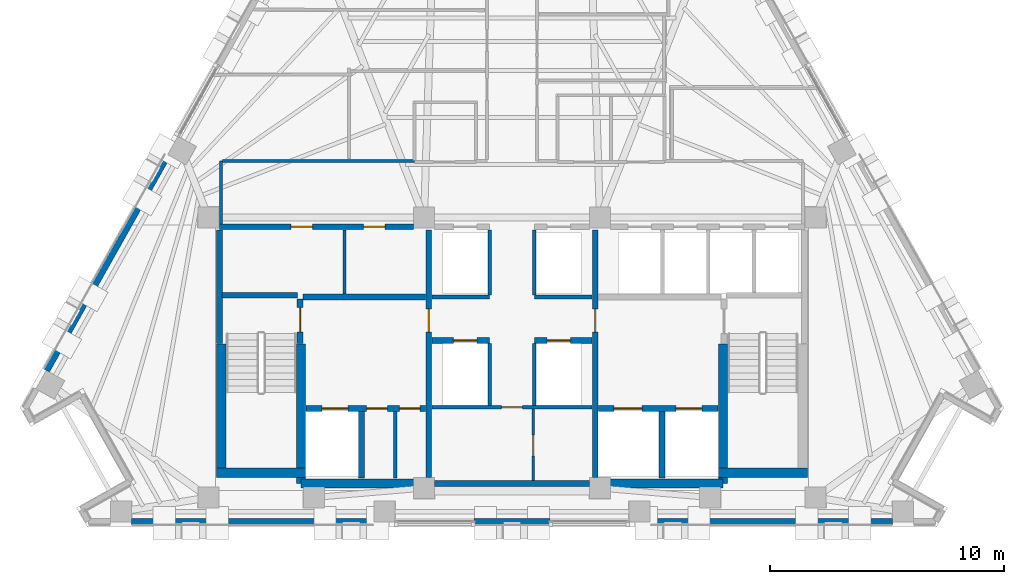
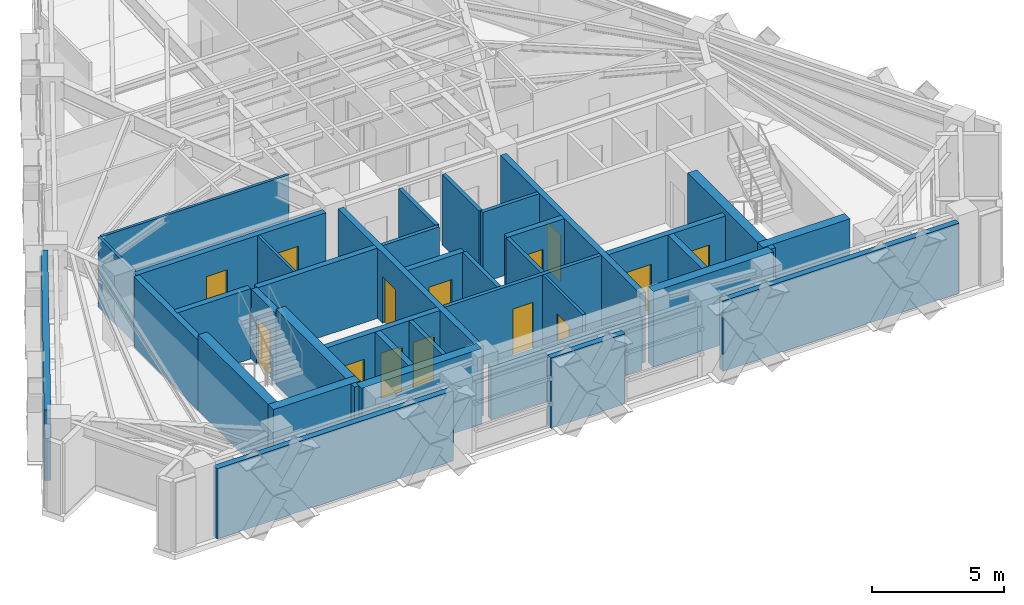
# One storey, part 8 of 15: 37 walls, 14 doors, 14 openings.
"""IFC4 building model written with IfcOpenShell, lengths in metres."""

from ifc_helpers import new_model, si_unit, direction, frame, frame_2d, origin, place, context, subcontext, project, spatial, rectangle, extrude, material, layer, layer_set, type_object, element, fill, save


model = new_model("IFC4")

# Units and contexts
model_context = context("Model", 3, precision=1e-05, world=origin(), true_north=direction((0.0, 1.0)))
body_context = subcontext(model_context, "Body", "Model", "MODEL_VIEW")
ifc_project = project(units=[si_unit("LENGTHUNIT", "METRE"), si_unit("AREAUNIT", "SQUARE_METRE"), si_unit("VOLUMEUNIT", "CUBIC_METRE"), si_unit("PLANEANGLEUNIT", "RADIAN"), si_unit("MASSUNIT", "GRAM", prefix="KILO")], contexts=[model_context])

# Site, building, storey
site_placement = place(None, origin())
site = spatial("IfcSite", under=ifc_project, at=site_placement, CompositionType="ELEMENT")
building_placement = place(site_placement, origin())
building = spatial("IfcBuilding", under=site, at=building_placement, Name="Quenlor Broadcast Tower", CompositionType="ELEMENT")
storey_placement = place(building_placement, frame((0.0, 0.0, 183.39990234375)))
storey = spatial("IfcBuildingStorey", under=building, at=storey_placement, Name="L50", CompositionType="ELEMENT", Elevation=183.39990234375)

# Walls
ifc_material_1 = material(Name="Concrete C50/60", Category="concrete")
ifc_layer_1 = layer(ifc_material_1, 0.39990234375)
ifc_layer_set_1 = layer_set([ifc_layer_1], Name="Core Concrete C50/60 Shear Wall 400")
wall_type_1 = type_object("IfcWallType", Name="Core Concrete C50/60 Shear Wall 400", PredefinedType="SHEAR", material=ifc_layer_set_1)
wall_1_placement = place(storey_placement, frame((-12.60009765625, -15.699951171875, 0.0), z_axis=(0.0, 0.0, 1.0), x_axis=(1.0, 0.0, 0.0)))
element("IfcWall", 1, at=wall_1_placement, inside=storey, type_object=wall_type_1, Name="L50 Core Shear Wall WS-W1", PredefinedType="SHEAR", context=body_context, shape_type="SweptSolid", body=[
    extrude(rectangle(XDim=3.800048828125, YDim=0.39990234375, at=frame_2d((1.89990234375, 0.0))), origin(), (0.0, 0.0, 1.0), 3.5),
])
for number, where, z_axis, x_axis, name in (
    (2, (-9.0, -16.14990234375, 0.0), (0.0, 0.0, 1.0), (1.0, 0.0, 0.0), "L50 Core Shear Wall WS-W2"),
    (3, (3.75, -16.14990234375, 0.0), (0.0, 0.0, 1.0), (1.0, 0.0, 0.0), "L50 Core Shear Wall WS-E1"),
):
    element("IfcWall", number, at=place(storey_placement, frame(where, z_axis=z_axis, x_axis=x_axis)), inside=storey, type_object=wall_type_1, Name=name, PredefinedType="SHEAR", context=body_context, shape_type="SweptSolid", body=[
        extrude(rectangle(XDim=5.25, YDim=0.39990234375, at=frame_2d((2.625, 0.0))), origin(), (0.0, 0.0, 1.0), 3.5),
    ])
wall_2_placement = place(storey_placement, frame((8.800048828125, -15.699951171875, 0.0), z_axis=(0.0, 0.0, 1.0), x_axis=(1.0, 0.0, 0.0)))
element("IfcWall", 4, at=wall_2_placement, inside=storey, type_object=wall_type_1, Name="L50 Core Shear Wall WS-E2", PredefinedType="SHEAR", context=body_context, shape_type="SweptSolid", body=[
    extrude(rectangle(XDim=3.800048828125, YDim=0.39990234375, at=frame_2d((1.89990234375, 0.0))), origin(), (0.0, 0.0, 1.0), 3.5),
])
wall_3_placement = place(storey_placement, frame((-12.39990234375, -15.699951171875, 0.0), z_axis=(0.0, 0.0, 1.0), x_axis=(0.0, 1.0, 0.0)))
element("IfcWall", 5, at=wall_3_placement, inside=storey, type_object=wall_type_1, Name="L50 Core Shear Wall WF-W", PredefinedType="SHEAR", context=body_context, shape_type="SweptSolid", body=[
    extrude(rectangle(XDim=5.5, YDim=0.39990234375, at=frame_2d((2.75, 0.0))), origin(), (0.0, 0.0, 1.0), 3.5),
])
for number, where, z_axis, x_axis, name in (
    (6, (-9.0, -16.14990234375, 0.0), (0.0, 0.0, 1.0), (0.0, 1.0, 0.0), "L50 Core Shear Wall WI-W"),
    (7, (9.0, -16.14990234375, 0.0), (0.0, 0.0, 1.0), (0.0, 1.0, 0.0), "L50 Core Shear Wall WI-E"),
):
    element("IfcWall", number, at=place(storey_placement, frame(where, z_axis=z_axis, x_axis=x_axis)), inside=storey, type_object=wall_type_1, Name=name, PredefinedType="SHEAR", context=body_context, shape_type="SweptSolid", body=[
        extrude(rectangle(XDim=5.949951171875, YDim=0.39990234375, at=frame_2d((2.97509765625, 0.0))), origin(), (0.0, 0.0, 1.0), 3.5),
    ])

# Wall, opening, door
ifc_material_2 = material(Name="Concrete C40/50", Category="concrete")
ifc_layer_2 = layer(ifc_material_2, 0.25)
ifc_layer_set_2 = layer_set([ifc_layer_2], Name="Fire Rated Concrete C40/50 Core Wall 250")
wall_type_2 = type_object("IfcWallType", Name="Fire Rated Concrete C40/50 Core Wall 250", PredefinedType="PARTITIONING", material=ifc_layer_set_2)
wall_4_placement = place(storey_placement, frame((-9.0400390625, -10.179931640625, 0.0), z_axis=(0.0, 0.0, 1.0), x_axis=(0.0, 1.0, 0.0)))
wall_4 = element("IfcWall", 8, at=wall_4_placement, inside=storey, type_object=wall_type_2, Name="L50 Interior Wall CW-ST1-DR", PredefinedType="PARTITIONING", context=body_context, shape_type="SweptSolid", body=[
    extrude(rectangle(XDim=1.89990234375, YDim=0.25, at=frame_2d((0.949951171875, 0.0))), origin(), (0.0, 0.0, 1.0), 3.25),
])
opening_1_placement = place(wall_4_placement, frame((0.47998046875, 0.0, 0.0)))
opening_1 = element("IfcOpeningElement", 9, at=opening_1_placement, cuts=wall_4, Name="Opening FD-1", PredefinedType="OPENING", context=body_context, shape_type="SweptSolid", body=[
    extrude(rectangle(XDim=1.050048828125, YDim=2.14990234375, at=frame_2d((0.52490234375, 1.074951171875))), frame((0.0, 0.135009765625, 0.0), z_axis=(0.0, -1.0, 0.0), x_axis=(1.0, 0.0, 0.0)), (0.0, 0.0, 1.0), 0.27001953125),
])
ifc_material_3 = material(Name="Fire Rated Steel Door Leaf", Category="steel")
door_type_1 = type_object("IfcDoorType", Name="Fire Isolated Stair Door 1050x2150", OperationType="NOTDEFINED", PredefinedType="DOOR", material=ifc_material_3)
door_1_placement = place(opening_1_placement, origin())
door_1 = element("IfcDoor", 10, at=door_1_placement, inside=storey, type_object=door_type_1, Name="L50 Door DR-ST1", OperationType="SINGLE_SWING_LEFT", OverallHeight=2.14990234375, OverallWidth=1.050048828125, PredefinedType="DOOR", context=body_context, shape_type="SweptSolid", body=[
    extrude(rectangle(XDim=1.050048828125, YDim=2.14990234375, at=frame_2d((0.52490234375, 1.074951171875))), frame((0.0, 0.02490234375, 0.0), z_axis=(0.0, -1.0, 0.0), x_axis=(1.0, 0.0, 0.0)), (0.0, 0.0, 1.0), 0.050048828125),
])
fill(opening_1, door_1)

# Walls
wall_5_placement = place(storey_placement, frame((-12.3798828125, -8.1201171875, 0.0), z_axis=(0.0, 0.0, 1.0), x_axis=(1.0, 0.0, 0.0)))
element("IfcWall", 11, at=wall_5_placement, inside=storey, type_object=wall_type_2, Name="L50 Interior Wall CW-ST1-N", PredefinedType="PARTITIONING", context=body_context, shape_type="SweptSolid", body=[
    extrude(rectangle(XDim=3.219970703125, YDim=0.25, at=frame_2d((1.60986328125, 0.0))), origin(), (0.0, 0.0, 1.0), 3.25),
])
wall_6_placement = place(storey_placement, frame((-12.47998046875, -10.179931640625, 0.0), z_axis=(0.0, 0.0, 1.0), x_axis=(0.0, 1.0, 0.0)))
element("IfcWall", 12, at=wall_6_placement, inside=storey, type_object=wall_type_2, Name="L50 Interior Wall CW-ST1-W2", PredefinedType="PARTITIONING", context=body_context, shape_type="SweptSolid", body=[
    extrude(rectangle(XDim=4.83984375, YDim=0.25, at=frame_2d((2.419921875, 0.0))), origin(), (0.0, 0.0, 1.0), 3.25),
])

# Wall, openings, doors
wall_7_placement = place(storey_placement, frame((-8.798095703125, -12.949951171875, 0.0), z_axis=(0.0, 0.0, 1.0), x_axis=(1.0, 0.0, 0.0)))
wall_7 = element("IfcWall", 13, at=wall_7_placement, inside=storey, type_object=wall_type_2, Name="L50 Interior Wall CW-FFW-S", PredefinedType="PARTITIONING", context=body_context, shape_type="SweptSolid", body=[
    extrude(rectangle(XDim=5.1181640625, YDim=0.25, at=frame_2d((2.55908203125, 0.0))), origin(), (0.0, 0.0, 1.0), 3.25),
])
opening_2_placement = place(wall_7_placement, frame((0.697998046875, 0.0, 0.0)))
opening_2 = element("IfcOpeningElement", 14, at=opening_2_placement, cuts=wall_7, Name="Opening LD-FFL-1", PredefinedType="OPENING", context=body_context, shape_type="SweptSolid", body=[
    extrude(rectangle(XDim=1.10009765625, YDim=2.14990234375, at=frame_2d((0.550048828125, 1.074951171875))), frame((0.0, 0.135009765625, 0.0), z_axis=(0.0, -1.0, 0.0), x_axis=(1.0, 0.0, 0.0)), (0.0, 0.0, 1.0), 0.27001953125),
])
opening_3_placement = place(wall_7_placement, frame((2.597900390625, 0.0, 0.0)))
opening_3 = element("IfcOpeningElement", 15, at=opening_3_placement, cuts=wall_7, Name="Opening TD-1", PredefinedType="OPENING", context=body_context, shape_type="SweptSolid", body=[
    extrude(rectangle(XDim=0.8798828125, YDim=2.10009765625, at=frame_2d((0.43994140625, 1.050048828125))), frame((0.0, 0.135009765625, 0.0), z_axis=(0.0, -1.0, 0.0), x_axis=(1.0, 0.0, 0.0)), (0.0, 0.0, 1.0), 0.27001953125),
])
opening_4_placement = place(wall_7_placement, frame((3.998046875, 0.0, 0.0)))
opening_4 = element("IfcOpeningElement", 16, at=opening_4_placement, cuts=wall_7, Name="Opening TD-1", PredefinedType="OPENING", context=body_context, shape_type="SweptSolid", body=[
    extrude(rectangle(XDim=0.8798828125, YDim=2.10009765625, at=frame_2d((0.43994140625, 1.050048828125))), frame((0.0, 0.135009765625, 0.0), z_axis=(0.0, -1.0, 0.0), x_axis=(1.0, 0.0, 0.0)), (0.0, 0.0, 1.0), 0.27001953125),
])
ifc_material_4 = material(Name="Brushed Stainless Steel", Category="steel")
door_type_2 = type_object("IfcDoorType", Name="Emergency Lift Sliding Landing Door 1100x2150", OperationType="NOTDEFINED", PredefinedType="DOOR", material=ifc_material_4)
door_2_placement = place(opening_2_placement, origin())
door_2 = element("IfcDoor", 17, at=door_2_placement, inside=storey, type_object=door_type_2, Name="L50 Door LD-FFL-1", OperationType="SLIDING_TO_LEFT", OverallHeight=2.14990234375, OverallWidth=1.10009765625, PredefinedType="DOOR", context=body_context, shape_type="SweptSolid", body=[
    extrude(rectangle(XDim=1.10009765625, YDim=2.14990234375, at=frame_2d((0.550048828125, 1.074951171875))), frame((0.0, 0.02490234375, 0.0), z_axis=(0.0, -1.0, 0.0), x_axis=(1.0, 0.0, 0.0)), (0.0, 0.0, 1.0), 0.050048828125),
])
fill(opening_2, door_2)
ifc_material_5 = material(Name="Fire Rated Steel Access Panel", Category="steel")
door_type_3 = type_object("IfcDoorType", Name="Riser Shaft Rated Access Trapdoor 880x2100", OperationType="NOTDEFINED", PredefinedType="TRAPDOOR", material=ifc_material_5)
door_3_placement = place(opening_3_placement, origin())
door_3 = element("IfcDoor", 18, at=door_3_placement, inside=storey, type_object=door_type_3, Name="L50 Door DR-ELR", OperationType="SINGLE_SWING_LEFT", OverallHeight=2.10009765625, OverallWidth=0.8798828125, PredefinedType="TRAPDOOR", context=body_context, shape_type="SweptSolid", body=[
    extrude(rectangle(XDim=0.8798828125, YDim=2.10009765625, at=frame_2d((0.43994140625, 1.050048828125))), frame((0.0, 0.02490234375, 0.0), z_axis=(0.0, -1.0, 0.0), x_axis=(1.0, 0.0, 0.0)), (0.0, 0.0, 1.0), 0.050048828125),
])
fill(opening_3, door_3)
door_4_placement = place(opening_4_placement, origin())
door_4 = element("IfcDoor", 19, at=door_4_placement, inside=storey, type_object=door_type_3, Name="L50 Door DR-CMR", OperationType="SINGLE_SWING_RIGHT", OverallHeight=2.10009765625, OverallWidth=0.8798828125, PredefinedType="TRAPDOOR", context=body_context, shape_type="SweptSolid", body=[
    extrude(rectangle(XDim=0.8798828125, YDim=2.10009765625, at=frame_2d((0.43994140625, 1.050048828125))), frame((0.0, 0.02490234375, 0.0), z_axis=(0.0, -1.0, 0.0), x_axis=(1.0, 0.0, 0.0)), (0.0, 0.0, 1.0), 0.050048828125),
])
fill(opening_4, door_4)

wall_8_placement = place(storey_placement, frame((3.679931640625, -12.949951171875, 0.0), z_axis=(0.0, 0.0, 1.0), x_axis=(1.0, 0.0, 0.0)))
wall_8 = element("IfcWall", 20, at=wall_8_placement, inside=storey, type_object=wall_type_2, Name="L50 Interior Wall CW-FFE-S", PredefinedType="PARTITIONING", context=body_context, shape_type="SweptSolid", body=[
    extrude(rectangle(XDim=5.1181640625, YDim=0.25, at=frame_2d((2.55908203125, 0.0))), origin(), (0.0, 0.0, 1.0), 3.25),
])
opening_5_placement = place(wall_8_placement, frame((3.320068359375, 0.0, 0.0)))
opening_5 = element("IfcOpeningElement", 21, at=opening_5_placement, cuts=wall_8, Name="Opening LD-FFL-2", PredefinedType="OPENING", context=body_context, shape_type="SweptSolid", body=[
    extrude(rectangle(XDim=1.10009765625, YDim=2.14990234375, at=frame_2d((0.550048828125, 1.074951171875))), frame((0.0, 0.135009765625, 0.0), z_axis=(0.0, -1.0, 0.0), x_axis=(1.0, 0.0, 0.0)), (0.0, 0.0, 1.0), 0.27001953125),
])
opening_6_placement = place(wall_8_placement, frame((0.669921875, 0.0, 0.0)))
opening_6 = element("IfcOpeningElement", 22, at=opening_6_placement, cuts=wall_8, Name="Opening LD-SVL-1", PredefinedType="OPENING", context=body_context, shape_type="SweptSolid", body=[
    extrude(rectangle(XDim=1.199951171875, YDim=2.14990234375, at=frame_2d((0.60009765625, 1.074951171875))), frame((0.0, 0.135009765625, 0.0), z_axis=(0.0, -1.0, 0.0), x_axis=(1.0, 0.0, 0.0)), (0.0, 0.0, 1.0), 0.27001953125),
])
door_5_placement = place(opening_5_placement, origin())
door_5 = element("IfcDoor", 23, at=door_5_placement, inside=storey, type_object=door_type_2, Name="L50 Door LD-FFL-2", OperationType="SLIDING_TO_RIGHT", OverallHeight=2.14990234375, OverallWidth=1.10009765625, PredefinedType="DOOR", context=body_context, shape_type="SweptSolid", body=[
    extrude(rectangle(XDim=1.10009765625, YDim=2.14990234375, at=frame_2d((0.550048828125, 1.074951171875))), frame((0.0, 0.02490234375, 0.0), z_axis=(0.0, -1.0, 0.0), x_axis=(1.0, 0.0, 0.0)), (0.0, 0.0, 1.0), 0.050048828125),
])
fill(opening_5, door_5)
ifc_material_6 = material(Name="Brushed Stainless Steel", Category="steel")
door_type_4 = type_object("IfcDoorType", Name="Goods Lift Sliding Landing Door 1200x2150", OperationType="NOTDEFINED", PredefinedType="DOOR", material=ifc_material_6)
door_6_placement = place(opening_6_placement, origin())
door_6 = element("IfcDoor", 24, at=door_6_placement, inside=storey, type_object=door_type_4, Name="L50 Door LD-SVL-1", OperationType="SLIDING_TO_LEFT", OverallHeight=2.14990234375, OverallWidth=1.199951171875, PredefinedType="DOOR", context=body_context, shape_type="SweptSolid", body=[
    extrude(rectangle(XDim=1.199951171875, YDim=2.14990234375, at=frame_2d((0.60009765625, 1.074951171875))), frame((0.0, 0.02490234375, 0.0), z_axis=(0.0, -1.0, 0.0), x_axis=(1.0, 0.0, 0.0)), (0.0, 0.0, 1.0), 0.050048828125),
])
fill(opening_6, door_6)

# Walls
for number, where, z_axis, x_axis, name in (
    (25, (-6.419921875, -15.919921875, 0.0), (0.0, 0.0, 1.0), (0.0, 1.0, 0.0), "L50 Interior Wall CW-FF1-E"),
    (26, (6.39990234375, -15.919921875, 0.0), (0.0, 0.0, 1.0), (0.0, 1.0, 0.0), "L50 Interior Wall CW-SV1-E"),
):
    element("IfcWall", number, at=place(storey_placement, frame(where, z_axis=z_axis, x_axis=x_axis)), inside=storey, type_object=wall_type_2, Name=name, PredefinedType="PARTITIONING", context=body_context, shape_type="SweptSolid", body=[
        extrude(rectangle(XDim=2.829833984375, YDim=0.25, at=frame_2d((1.4150390625, 0.0))), origin(), (0.0, 0.0, 1.0), 3.25),
    ])
wall_9_placement = place(storey_placement, frame((-8.919921875, -8.199951171875, 0.0), z_axis=(0.0, 0.0, 1.0), x_axis=(1.0, 0.0, 0.0)))
element("IfcWall", 27, at=wall_9_placement, inside=storey, type_object=wall_type_2, Name="L50 Interior Wall CW-FFW-N", PredefinedType="PARTITIONING", context=body_context, shape_type="SweptSolid", body=[
    extrude(rectangle(XDim=5.239990234375, YDim=0.25, at=frame_2d((2.6201171875, 0.0))), origin(), (0.0, 0.0, 1.0), 3.25),
])

# Wall, opening, door
wall_10_placement = place(storey_placement, frame((-3.550048828125, -15.89794921875, 0.0), z_axis=(0.0, 0.0, 1.0), x_axis=(0.0, 1.0, 0.0)))
wall_10 = element("IfcWall", 28, at=wall_10_placement, inside=storey, type_object=wall_type_2, Name="L50 Interior Wall CW-FFW-E", PredefinedType="PARTITIONING", context=body_context, shape_type="SweptSolid", body=[
    extrude(rectangle(XDim=10.557861328125, YDim=0.25, at=frame_2d((5.27880859375, 0.0))), origin(), (0.0, 0.0, 1.0), 3.25),
])
opening_7_placement = place(wall_10_placement, frame((6.197998046875, 0.0, 0.0)))
opening_7 = element("IfcOpeningElement", 29, at=opening_7_placement, cuts=wall_10, Name="Opening FD-2", PredefinedType="OPENING", context=body_context, shape_type="SweptSolid", body=[
    extrude(rectangle(XDim=1.0, YDim=2.14990234375, at=frame_2d((0.5, 1.074951171875))), frame((0.0, 0.135009765625, 0.0), z_axis=(0.0, -1.0, 0.0), x_axis=(1.0, 0.0, 0.0)), (0.0, 0.0, 1.0), 0.27001953125),
])
ifc_material_7 = material(Name="Fire Rated Glazed Steel Door", Category="steel")
door_type_5 = type_object("IfcDoorType", Name="Firefighting Lobby Smoke Door 1000x2150", OperationType="NOTDEFINED", PredefinedType="DOOR", material=ifc_material_7)
door_7_placement = place(opening_7_placement, origin())
door_7 = element("IfcDoor", 30, at=door_7_placement, inside=storey, type_object=door_type_5, Name="L50 Door DR-FFLW", OperationType="SINGLE_SWING_RIGHT", OverallHeight=2.14990234375, OverallWidth=1.0, PredefinedType="DOOR", context=body_context, shape_type="SweptSolid", body=[
    extrude(rectangle(XDim=1.0, YDim=2.14990234375, at=frame_2d((0.5, 1.074951171875))), frame((0.0, 0.02490234375, 0.0), z_axis=(0.0, -1.0, 0.0), x_axis=(1.0, 0.0, 0.0)), (0.0, 0.0, 1.0), 0.050048828125),
])
fill(opening_7, door_7)

wall_11_placement = place(storey_placement, frame((3.550048828125, -15.89794921875, 0.0), z_axis=(0.0, 0.0, 1.0), x_axis=(0.0, 1.0, 0.0)))
wall_11 = element("IfcWall", 31, at=wall_11_placement, inside=storey, type_object=wall_type_2, Name="L50 Interior Wall CW-FFE-W", PredefinedType="PARTITIONING", context=body_context, shape_type="SweptSolid", body=[
    extrude(rectangle(XDim=10.557861328125, YDim=0.25, at=frame_2d((5.27880859375, 0.0))), origin(), (0.0, 0.0, 1.0), 3.25),
])
opening_8_placement = place(wall_11_placement, frame((6.197998046875, 0.0, 0.0)))
opening_8 = element("IfcOpeningElement", 32, at=opening_8_placement, cuts=wall_11, Name="Opening FD-2", PredefinedType="OPENING", context=body_context, shape_type="SweptSolid", body=[
    extrude(rectangle(XDim=1.0, YDim=2.14990234375, at=frame_2d((0.5, 1.074951171875))), frame((0.0, 0.135009765625, 0.0), z_axis=(0.0, -1.0, 0.0), x_axis=(1.0, 0.0, 0.0)), (0.0, 0.0, 1.0), 0.27001953125),
])
door_8_placement = place(opening_8_placement, origin())
door_8 = element("IfcDoor", 33, at=door_8_placement, inside=storey, type_object=door_type_5, Name="L50 Door DR-FFLE", OperationType="SINGLE_SWING_LEFT", OverallHeight=2.14990234375, OverallWidth=1.0, PredefinedType="DOOR", context=body_context, shape_type="SweptSolid", body=[
    extrude(rectangle(XDim=1.0, YDim=2.14990234375, at=frame_2d((0.5, 1.074951171875))), frame((0.0, 0.02490234375, 0.0), z_axis=(0.0, -1.0, 0.0), x_axis=(1.0, 0.0, 0.0)), (0.0, 0.0, 1.0), 0.050048828125),
])
fill(opening_8, door_8)

# Wall, openings, doors
wall_12_placement = place(storey_placement, frame((-12.47998046875, -5.199951171875, 0.0), z_axis=(0.0, 0.0, 1.0), x_axis=(1.0, 0.0, 0.0)))
wall_12 = element("IfcWall", 34, at=wall_12_placement, inside=storey, type_object=wall_type_2, Name="L50 Interior Wall CW-N-W", PredefinedType="PARTITIONING", context=body_context, shape_type="SweptSolid", body=[
    extrude(rectangle(XDim=8.278076171875, YDim=0.25, at=frame_2d((4.13916015625, 0.0))), origin(), (0.0, 0.0, 1.0), 3.25),
])
opening_9_placement = place(wall_12_placement, frame((3.050048828125, 0.0, 0.0)))
opening_9 = element("IfcOpeningElement", 35, at=opening_9_placement, cuts=wall_12, Name="Opening ID-1", PredefinedType="OPENING", context=body_context, shape_type="SweptSolid", body=[
    extrude(rectangle(XDim=0.919921875, YDim=2.1201171875, at=frame_2d((0.4599609375, 1.06005859375))), frame((0.0, 0.135009765625, 0.0), z_axis=(0.0, -1.0, 0.0), x_axis=(1.0, 0.0, 0.0)), (0.0, 0.0, 1.0), 0.27001953125),
])
opening_10_placement = place(wall_12_placement, frame((6.14990234375, 0.0, 0.0)))
opening_10 = element("IfcOpeningElement", 36, at=opening_10_placement, cuts=wall_12, Name="Opening ID-1", PredefinedType="OPENING", context=body_context, shape_type="SweptSolid", body=[
    extrude(rectangle(XDim=0.919921875, YDim=2.1201171875, at=frame_2d((0.4599609375, 1.06005859375))), frame((0.0, 0.135009765625, 0.0), z_axis=(0.0, -1.0, 0.0), x_axis=(1.0, 0.0, 0.0)), (0.0, 0.0, 1.0), 0.27001953125),
])
ifc_material_8 = material(Name="Solid Core Timber Oak", Category="wood")
door_type_6 = type_object("IfcDoorType", Name="Single Leaf Timber Office Door 920x2120", OperationType="NOTDEFINED", PredefinedType="DOOR", material=ifc_material_8)
door_9_placement = place(opening_9_placement, origin())
door_9 = element("IfcDoor", 37, at=door_9_placement, inside=storey, type_object=door_type_6, Name="L50 Door DR-RCL1", OperationType="SINGLE_SWING_LEFT", OverallHeight=2.1201171875, OverallWidth=0.919921875, PredefinedType="DOOR", context=body_context, shape_type="SweptSolid", body=[
    extrude(rectangle(XDim=0.919921875, YDim=2.1201171875, at=frame_2d((0.4599609375, 1.06005859375))), frame((0.0, 0.02490234375, 0.0), z_axis=(0.0, -1.0, 0.0), x_axis=(1.0, 0.0, 0.0)), (0.0, 0.0, 1.0), 0.050048828125),
])
fill(opening_9, door_9)
door_10_placement = place(opening_10_placement, origin())
door_10 = element("IfcDoor", 38, at=door_10_placement, inside=storey, type_object=door_type_6, Name="L50 Door DR-RCL2", OperationType="SINGLE_SWING_RIGHT", OverallHeight=2.1201171875, OverallWidth=0.919921875, PredefinedType="DOOR", context=body_context, shape_type="SweptSolid", body=[
    extrude(rectangle(XDim=0.919921875, YDim=2.1201171875, at=frame_2d((0.4599609375, 1.06005859375))), frame((0.0, 0.02490234375, 0.0), z_axis=(0.0, -1.0, 0.0), x_axis=(1.0, 0.0, 0.0)), (0.0, 0.0, 1.0), 0.050048828125),
])
fill(opening_10, door_10)

# Wall
wall_13_placement = place(storey_placement, frame((-3.298095703125, -16.14990234375, 0.0), z_axis=(0.0, 0.0, 1.0), x_axis=(1.0, 0.0, 0.0)))
element("IfcWall", 39, at=wall_13_placement, inside=storey, type_object=wall_type_2, Name="L50 Interior Wall CW-MS-S", PredefinedType="PARTITIONING", context=body_context, shape_type="SweptSolid", body=[
    extrude(rectangle(XDim=6.59619140625, YDim=0.25, at=frame_2d((3.298095703125, 0.0))), origin(), (0.0, 0.0, 1.0), 2.4501953125),
])

# Wall, opening, door
wall_14_placement = place(storey_placement, frame((-3.419921875, -10.050048828125, 0.0), z_axis=(0.0, 0.0, 1.0), x_axis=(1.0, 0.0, 0.0)))
wall_14 = element("IfcWall", 40, at=wall_14_placement, inside=storey, type_object=wall_type_2, Name="L50 Interior Wall CW-MS-N1", PredefinedType="PARTITIONING", context=body_context, shape_type="SweptSolid", body=[
    extrude(rectangle(XDim=2.469970703125, YDim=0.25, at=frame_2d((1.23486328125, 0.0))), origin(), (0.0, 0.0, 1.0), 3.25),
])
opening_11_placement = place(wall_14_placement, frame((0.919921875, 0.0, 0.0)))
opening_11 = element("IfcOpeningElement", 41, at=opening_11_placement, cuts=wall_14, Name="Opening LD-PL-M3", PredefinedType="OPENING", context=body_context, shape_type="SweptSolid", body=[
    extrude(rectangle(XDim=1.0, YDim=2.14990234375, at=frame_2d((0.5, 1.074951171875))), frame((0.0, 0.135009765625, 0.0), z_axis=(0.0, -1.0, 0.0), x_axis=(1.0, 0.0, 0.0)), (0.0, 0.0, 1.0), 0.27001953125),
])
ifc_material_9 = material(Name="Brushed Stainless Steel", Category="steel")
door_type_7 = type_object("IfcDoorType", Name="Passenger Lift Sliding Landing Door 1000x2150", OperationType="NOTDEFINED", PredefinedType="DOOR", material=ifc_material_9)
door_11_placement = place(opening_11_placement, origin())
door_11 = element("IfcDoor", 42, at=door_11_placement, inside=storey, type_object=door_type_7, Name="L50 Door LD-PL-M3", OperationType="SLIDING_TO_LEFT", OverallHeight=2.14990234375, OverallWidth=1.0, PredefinedType="DOOR", context=body_context, shape_type="SweptSolid", body=[
    extrude(rectangle(XDim=1.0, YDim=2.14990234375, at=frame_2d((0.5, 1.074951171875))), frame((0.0, 0.02490234375, 0.0), z_axis=(0.0, -1.0, 0.0), x_axis=(1.0, 0.0, 0.0)), (0.0, 0.0, 1.0), 0.050048828125),
])
fill(opening_11, door_11)

wall_15_placement = place(storey_placement, frame((0.949951171875, -10.050048828125, 0.0), z_axis=(0.0, 0.0, 1.0), x_axis=(1.0, 0.0, 0.0)))
wall_15 = element("IfcWall", 43, at=wall_15_placement, inside=storey, type_object=wall_type_2, Name="L50 Interior Wall CW-MS-N2", PredefinedType="PARTITIONING", context=body_context, shape_type="SweptSolid", body=[
    extrude(rectangle(XDim=2.469970703125, YDim=0.25, at=frame_2d((1.23486328125, 0.0))), origin(), (0.0, 0.0, 1.0), 3.25),
])
opening_12_placement = place(wall_15_placement, frame((0.550048828125, 0.0, 0.0)))
opening_12 = element("IfcOpeningElement", 44, at=opening_12_placement, cuts=wall_15, Name="Opening LD-PL-M4", PredefinedType="OPENING", context=body_context, shape_type="SweptSolid", body=[
    extrude(rectangle(XDim=1.0, YDim=2.14990234375, at=frame_2d((0.5, 1.074951171875))), frame((0.0, 0.135009765625, 0.0), z_axis=(0.0, -1.0, 0.0), x_axis=(1.0, 0.0, 0.0)), (0.0, 0.0, 1.0), 0.27001953125),
])
door_12_placement = place(opening_12_placement, origin())
door_12 = element("IfcDoor", 45, at=door_12_placement, inside=storey, type_object=door_type_7, Name="L50 Door LD-PL-M4", OperationType="SLIDING_TO_RIGHT", OverallHeight=2.14990234375, OverallWidth=1.0, PredefinedType="DOOR", context=body_context, shape_type="SweptSolid", body=[
    extrude(rectangle(XDim=1.0, YDim=2.14990234375, at=frame_2d((0.5, 1.074951171875))), frame((0.0, 0.02490234375, 0.0), z_axis=(0.0, -1.0, 0.0), x_axis=(1.0, 0.0, 0.0)), (0.0, 0.0, 1.0), 0.050048828125),
])
fill(opening_12, door_12)

# Walls
ifc_material_10 = material(Name="Gypsum Fireboard Partition", Category="other")
ifc_layer_3 = layer(ifc_material_10, 0.159912109375)
ifc_layer_set_3 = layer_set([ifc_layer_3], Name="Fire Rated Shaft and Corridor Partition 160")
wall_type_3 = type_object("IfcWallType", Name="Fire Rated Shaft and Corridor Partition 160", PredefinedType="PARTITIONING", material=ifc_layer_set_3)
wall_16_placement = place(storey_placement, frame((-4.97998046875, -15.919921875, 0.0), z_axis=(0.0, 0.0, 1.0), x_axis=(0.0, 1.0, 0.0)))
element("IfcWall", 46, at=wall_16_placement, inside=storey, type_object=wall_type_3, Name="L50 Interior Wall CW-ELR-E", PredefinedType="PARTITIONING", context=body_context, shape_type="SweptSolid", body=[
    extrude(rectangle(XDim=2.829833984375, YDim=0.159912109375, at=frame_2d((1.4150390625, 0.0))), origin(), (0.0, 0.0, 1.0), 3.25),
])
for number, where, z_axis, x_axis, name in (
    (47, (-0.949951171875, -8.1201171875, 0.0), (0.0, 0.0, 1.0), (0.0, 1.0, 0.0), "L50 Interior Wall CW-CCRP-W"),
    (48, (0.949951171875, -8.1201171875, 0.0), (0.0, 0.0, 1.0), (0.0, 1.0, 0.0), "L50 Interior Wall CW-CCRP-E"),
):
    element("IfcWall", number, at=place(storey_placement, frame(where, z_axis=z_axis, x_axis=x_axis)), inside=storey, type_object=wall_type_3, Name=name, PredefinedType="PARTITIONING", context=body_context, shape_type="SweptSolid", body=[
        extrude(rectangle(XDim=2.780029296875, YDim=0.159912109375, at=frame_2d((1.39013671875, 0.0))), origin(), (0.0, 0.0, 1.0), 3.25),
    ])
for number, where, z_axis, x_axis, name in (
    (49, (-3.419921875, -8.199951171875, 0.0), (0.0, 0.0, 1.0), (1.0, 0.0, 0.0), "L50 Interior Wall CW-M-BACK1"),
    (50, (0.949951171875, -8.199951171875, 0.0), (0.0, 0.0, 1.0), (1.0, 0.0, 0.0), "L50 Interior Wall CW-M-BACK2"),
):
    element("IfcWall", number, at=place(storey_placement, frame(where, z_axis=z_axis, x_axis=x_axis)), inside=storey, type_object=wall_type_3, Name=name, PredefinedType="PARTITIONING", context=body_context, shape_type="SweptSolid", body=[
        extrude(rectangle(XDim=2.469970703125, YDim=0.159912109375, at=frame_2d((1.23486328125, 0.0))), origin(), (0.0, 0.0, 1.0), 3.25),
    ])

# Wall, opening, door
wall_17_placement = place(storey_placement, frame((-3.419921875, -12.89990234375, 0.0), z_axis=(0.0, 0.0, 1.0), x_axis=(1.0, 0.0, 0.0)))
wall_17 = element("IfcWall", 51, at=wall_17_placement, inside=storey, type_object=wall_type_3, Name="L50 Interior Wall CW-MS-B", PredefinedType="PARTITIONING", context=body_context, shape_type="SweptSolid", body=[
    extrude(rectangle(XDim=6.83984375, YDim=0.159912109375, at=frame_2d((3.419921875, 0.0))), origin(), (0.0, 0.0, 1.0), 3.25),
])
opening_13_placement = place(wall_17_placement, frame((2.97998046875, 0.0, 0.0)))
opening_13 = element("IfcOpeningElement", 52, at=opening_13_placement, cuts=wall_17, Name="Opening ID-4", PredefinedType="OPENING", context=body_context, shape_type="SweptSolid", body=[
    extrude(rectangle(XDim=0.8798828125, YDim=2.1201171875, at=frame_2d((0.43994140625, 1.06005859375))), frame((0.0, 0.08984375, 0.0), z_axis=(0.0, -1.0, 0.0), x_axis=(1.0, 0.0, 0.0)), (0.0, 0.0, 1.0), 0.179931640625),
])
ifc_material_11 = material(Name="Solid Core Timber Oak", Category="wood")
door_type_8 = type_object("IfcDoorType", Name="Service Closet Timber Door 880x2120", OperationType="NOTDEFINED", PredefinedType="DOOR", material=ifc_material_11)
door_13_placement = place(opening_13_placement, origin())
door_13 = element("IfcDoor", 53, at=door_13_placement, inside=storey, type_object=door_type_8, Name="L50 Door DR-CSV0", OperationType="SINGLE_SWING_LEFT", OverallHeight=2.1201171875, OverallWidth=0.8798828125, PredefinedType="DOOR", context=body_context, shape_type="SweptSolid", body=[
    extrude(rectangle(XDim=0.8798828125, YDim=2.1201171875, at=frame_2d((0.43994140625, 1.06005859375))), frame((0.0, 0.02490234375, 0.0), z_axis=(0.0, -1.0, 0.0), x_axis=(1.0, 0.0, 0.0)), (0.0, 0.0, 1.0), 0.050048828125),
])
fill(opening_13, door_13)

# Walls
for number, where, z_axis, x_axis, name in (
    (54, (-0.949951171875, -12.818115234375, 0.0), (0.0, 0.0, 1.0), (0.0, 1.0, 0.0), "L50 Interior Wall CW-MS-W"),
    (55, (0.949951171875, -12.818115234375, 0.0), (0.0, 0.0, 1.0), (0.0, 1.0, 0.0), "L50 Interior Wall CW-MS-E"),
):
    element("IfcWall", number, at=place(storey_placement, frame(where, z_axis=z_axis, x_axis=x_axis)), inside=storey, type_object=wall_type_3, Name=name, PredefinedType="PARTITIONING", context=body_context, shape_type="SweptSolid", body=[
        extrude(rectangle(XDim=2.63818359375, YDim=0.159912109375, at=frame_2d((1.319091796875, 0.0))), origin(), (0.0, 0.0, 1.0), 3.25),
    ])
ifc_material_12 = material(Name="Gypsum Plasterboard Partition", Category="other")
ifc_layer_4 = layer(ifc_material_12, 0.1201171875)
ifc_layer_set_4 = layer_set([ifc_layer_4], Name="Standard Office Partition 120")
wall_type_4 = type_object("IfcWallType", Name="Standard Office Partition 120", PredefinedType="PARTITIONING", material=ifc_layer_set_4)
wall_18_placement = place(storey_placement, frame((-7.14990234375, -8.072998046875, 0.0), z_axis=(0.0, 0.0, 1.0), x_axis=(0.0, 1.0, 0.0)))
element("IfcWall", 56, at=wall_18_placement, inside=storey, type_object=wall_type_4, Name="L50 Interior Wall CW-RCL-MID", PredefinedType="PARTITIONING", context=body_context, shape_type="SweptSolid", body=[
    extrude(rectangle(XDim=2.73291015625, YDim=0.1201171875, at=frame_2d((1.366455078125, 0.0))), origin(), (0.0, 0.0, 1.0), 3.25),
])

# Wall, opening, door
wall_19_placement = place(storey_placement, frame((0.909912109375, -16.02001953125, 0.0), z_axis=(0.0, 0.0, 1.0), x_axis=(0.0, 1.0, 0.0)))
wall_19 = element("IfcWall", 57, at=wall_19_placement, inside=storey, type_object=wall_type_4, Name="L50 Interior Wall CW-CSV-E2", PredefinedType="PARTITIONING", context=body_context, shape_type="SweptSolid", body=[
    extrude(rectangle(XDim=3.0380859375, YDim=0.1201171875, at=frame_2d((1.51904296875, 0.0))), origin(), (0.0, 0.0, 1.0), 3.25),
])
opening_14_placement = place(wall_19_placement, frame((1.050048828125, 0.0, 0.0)))
opening_14 = element("IfcOpeningElement", 58, at=opening_14_placement, cuts=wall_19, Name="Opening ID-4", PredefinedType="OPENING", context=body_context, shape_type="SweptSolid", body=[
    extrude(rectangle(XDim=0.8798828125, YDim=2.1201171875, at=frame_2d((0.43994140625, 1.06005859375))), frame((0.0, 0.070068359375, 0.0), z_axis=(0.0, -1.0, 0.0), x_axis=(1.0, 0.0, 0.0)), (0.0, 0.0, 1.0), 0.14013671875),
])
door_14_placement = place(opening_14_placement, origin())
door_14 = element("IfcDoor", 59, at=door_14_placement, inside=storey, type_object=door_type_8, Name="L50 Door DR-CSV2", OperationType="SINGLE_SWING_RIGHT", OverallHeight=2.1201171875, OverallWidth=0.8798828125, PredefinedType="DOOR", context=body_context, shape_type="SweptSolid", body=[
    extrude(rectangle(XDim=0.8798828125, YDim=2.1201171875, at=frame_2d((0.43994140625, 1.06005859375))), frame((0.0, 0.02490234375, 0.0), z_axis=(0.0, -1.0, 0.0), x_axis=(1.0, 0.0, 0.0)), (0.0, 0.0, 1.0), 0.050048828125),
])
fill(opening_14, door_14)

# Walls
wall_20_placement = place(storey_placement, frame((-12.409912109375, -5.072998046875, 0.0), z_axis=(0.0, 0.0, 1.0), x_axis=(0.0, 1.0, 0.0)))
element("IfcWall", 60, at=wall_20_placement, inside=storey, type_object=wall_type_4, Name="L50 Interior Wall PW-CR-01", PredefinedType="PARTITIONING", context=body_context, shape_type="SweptSolid", body=[
    extrude(rectangle(XDim=2.673095703125, YDim=0.1201171875, at=frame_2d((1.33642578125, 0.0))), origin(), (0.0, 0.0, 1.0), 3.25),
])
wall_21_placement = place(storey_placement, frame((-12.347900390625, -2.39990234375, 0.0), z_axis=(0.0, 0.0, 1.0), x_axis=(1.0, 0.0, 0.0)))
element("IfcWall", 61, at=wall_21_placement, inside=storey, type_object=wall_type_4, Name="L50 Interior Wall PW-CR-02", PredefinedType="PARTITIONING", context=body_context, shape_type="SweptSolid", body=[
    extrude(rectangle(XDim=8.185791015625, YDim=0.1201171875, at=frame_2d((4.0927734375, 0.0))), origin(), (0.0, 0.0, 1.0), 3.25),
])
ifc_material_13 = material(Name="Precast concrete C40/50", Category="concrete")
ifc_layer_5 = layer(ifc_material_13, 0.260009765625)
ifc_layer_set_5 = layer_set([ifc_layer_5], Name="Terracotta Precast Concrete C40/50 Upper Wall 260")
wall_type_5 = type_object("IfcWallType", Name="Terracotta Precast Concrete C40/50 Upper Wall 260", PredefinedType="STANDARD", material=ifc_layer_set_5)
for number, where, z_axis, x_axis, name in (
    (62, (16.220947265625, -17.77490234375, 0.0), (0.0, 0.0, 1.0), (-1.0, 0.0, 0.0), "L50 Exterior Wall L50-EW-SA"),
    (63, (-5.892822265625, -17.77490234375, 0.0), (0.0, 0.0, 1.0), (-1.0, 0.0, 0.0), "L50 Exterior Wall L50-EW-SC"),
):
    element("IfcWall", number, at=place(storey_placement, frame(where, z_axis=z_axis, x_axis=x_axis)), inside=storey, type_object=wall_type_5, Name=name, PredefinedType="STANDARD", context=body_context, shape_type="SweptSolid", body=[
        extrude(rectangle(XDim=10.328125, YDim=0.260009765625, at=frame_2d((5.1640625, 0.0))), origin(), (0.0, 0.0, 1.0), 3.25),
    ])
wall_22_placement = place(storey_placement, frame((1.62109375, -17.77490234375, 0.0), z_axis=(0.0, 0.0, 1.0), x_axis=(-1.0, 0.0, 0.0)))
element("IfcWall", 64, at=wall_22_placement, inside=storey, type_object=wall_type_5, Name="L50 Exterior Wall L50-S-SP1", PredefinedType="STANDARD", context=body_context, shape_type="SweptSolid", body=[
    extrude(rectangle(XDim=3.2421875, YDim=0.260009765625, at=frame_2d((1.62109375, 0.0))), origin(), (0.0, 0.0, 1.0), 3.25),
])
wall_23_placement = place(storey_placement, frame((-19.84375, -11.3369140625, 0.0), z_axis=(0.0, 0.0, 1.0), x_axis=(0.490246958575, 0.871583570066, 0.0)))
element("IfcWall", 65, at=wall_23_placement, inside=storey, type_object=wall_type_5, Name="L50 Exterior Wall L50-EW-NWA", PredefinedType="STANDARD", context=body_context, shape_type="SweptSolid", body=[
    extrude(rectangle(XDim=10.551513671875, YDim=0.260009765625, at=frame_2d((5.27587890625, 0.0))), origin(), (0.0, 0.0, 1.0), 3.25),
])

save(model, "model.ifc")
